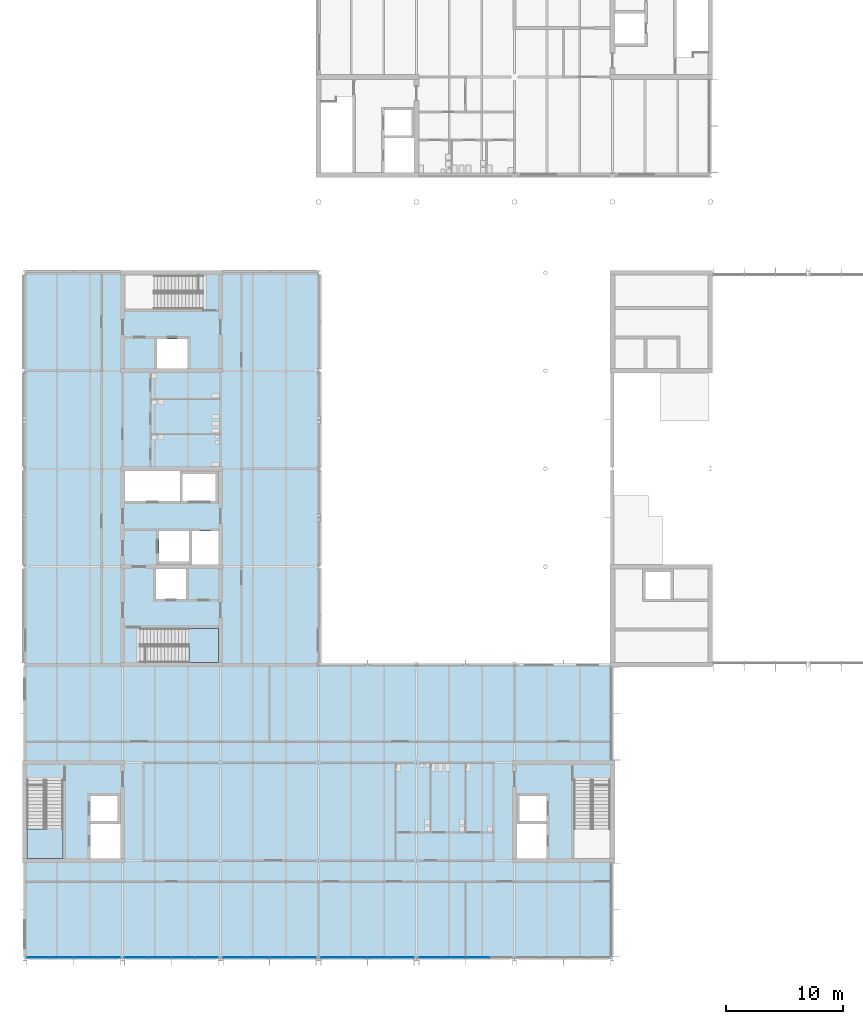
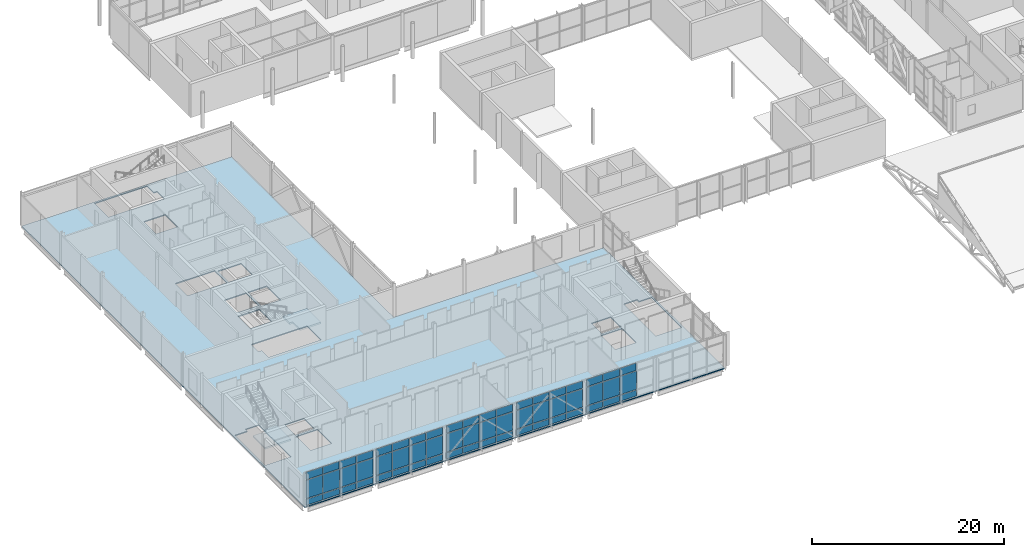
# One storey, part 39 of 89: 57 plates, 3 slabs, 7 elements without a shape of their own.
"""IFC4 building model written with IfcOpenShell, lengths in metres."""

from ifc_helpers import new_model, si_unit, direction, frame, origin, origin_2d, place, context, subcontext, project, spatial, polyline, rectangle, outline, extrude, material, layer, layer_set, type_object, element, aggregate, save


model = new_model("IFC4")

# Units and contexts
model_context = context("Model", 3, precision=1e-05, world=origin(), true_north=direction((0.0, 1.0)))
body_context = subcontext(model_context, "Body", "Model", "MODEL_VIEW")
ifc_project = project(units=[si_unit("LENGTHUNIT", "METRE"), si_unit("AREAUNIT", "SQUARE_METRE"), si_unit("VOLUMEUNIT", "CUBIC_METRE"), si_unit("PLANEANGLEUNIT", "RADIAN"), si_unit("MASSUNIT", "GRAM", prefix="KILO")], contexts=[model_context])

# Site, building, storey
site_placement = place(None, origin())
site = spatial("IfcSite", under=ifc_project, at=site_placement, CompositionType="ELEMENT")
building_placement = place(site_placement, origin())
building = spatial("IfcBuilding", under=site, at=building_placement, Name="Hlaing Beacon Police Headquarters", CompositionType="ELEMENT")
storey_placement = place(building_placement, frame((0.0, 0.0, 9.89990234375)))
storey = spatial("IfcBuildingStorey", under=building, at=storey_placement, Name="L02", CompositionType="ELEMENT", Elevation=9.89990234375)

# Curtain wall, plates
ifc_material_1 = material(Name="Aluminium frame with solar control glazing", Category="aluminium")
curtain_wall_type_1 = type_object("IfcCurtainWallType", Name="Unitised curtain wall 8.12 x 4.37", PredefinedType="NOTDEFINED", material=ifc_material_1)
curtain_wall_1_placement = place(storey_placement, origin())
curtain_wall_1 = element("IfcCurtainWall", 1, at=curtain_wall_1_placement, inside=storey, type_object=curtain_wall_type_1, Name="ENV-CW-L02-S009", PredefinedType="NOTDEFINED")
ifc_material_2 = material(Name="Solar control glazing", Category="glass")
ifc_layer_1 = layer(ifc_material_2, 0.02392578125)
ifc_layer_set_1 = layer_set([ifc_layer_1], Name="Solar control glazing")
plate_type_1 = type_object("IfcPlateType", Name="Clear glazing panel 24", PredefinedType="CURTAIN_PANEL", material=ifc_layer_set_1)
plate_1_placement = place(storey_placement, frame((9.580322265625, 8.5, 3.35009765625), z_axis=(0.0, 0.0, 1.0), x_axis=(1.0, 0.0, 0.0)))
plate_1 = element("IfcPlate", 2, at=plate_1_placement, type_object=plate_type_1, Name="CW-L02-S009 panel 1.3", PredefinedType="CURTAIN_PANEL", context=body_context, shape_type="SweptSolid", body=[
    extrude(rectangle(XDim=1.9404296875, YDim=0.02392578125, at=origin_2d()), origin(), (0.0, 0.0, 1.0), 0.919921875),
])
plate_2_placement = place(storey_placement, frame((11.595703125, 8.5, 3.35009765625), z_axis=(0.0, 0.0, 1.0), x_axis=(1.0, 0.0, 0.0)))
plate_2 = element("IfcPlate", 3, at=plate_2_placement, type_object=plate_type_1, Name="CW-L02-S009 panel 2.3", PredefinedType="CURTAIN_PANEL", context=body_context, shape_type="SweptSolid", body=[
    extrude(rectangle(XDim=1.970458984375, YDim=0.02392578125, at=origin_2d()), origin(), (0.0, 0.0, 1.0), 0.919921875),
])
plate_3_placement = place(storey_placement, frame((13.6259765625, 8.5, 3.35009765625), z_axis=(0.0, 0.0, 1.0), x_axis=(1.0, 0.0, 0.0)))
plate_3 = element("IfcPlate", 4, at=plate_3_placement, type_object=plate_type_1, Name="CW-L02-S009 panel 3.3", PredefinedType="CURTAIN_PANEL", context=body_context, shape_type="SweptSolid", body=[
    extrude(rectangle(XDim=1.970458984375, YDim=0.02392578125, at=origin_2d()), origin(), (0.0, 0.0, 1.0), 0.919921875),
])
plate_4_placement = place(storey_placement, frame((15.6416015625, 8.5, 3.35009765625), z_axis=(0.0, 0.0, 1.0), x_axis=(1.0, 0.0, 0.0)))
plate_4 = element("IfcPlate", 5, at=plate_4_placement, type_object=plate_type_1, Name="CW-L02-S009 panel 4.3", PredefinedType="CURTAIN_PANEL", context=body_context, shape_type="SweptSolid", body=[
    extrude(rectangle(XDim=1.9404296875, YDim=0.02392578125, at=origin_2d()), origin(), (0.0, 0.0, 1.0), 0.919921875),
])

ifc_material_3 = material(Name="Aluminium frame with solar control glazing", Category="aluminium")
curtain_wall_type_2 = type_object("IfcCurtainWallType", Name="Unitised curtain wall 8.09 x 4.37", PredefinedType="NOTDEFINED", material=ifc_material_3)
curtain_wall_2_placement = place(storey_placement, origin())
curtain_wall_2 = element("IfcCurtainWall", 6, at=curtain_wall_2_placement, inside=storey, type_object=curtain_wall_type_2, Name="ENV-CW-L02-S010", PredefinedType="NOTDEFINED")
plate_5_placement = place(storey_placement, frame((17.9541015625, 8.5, 3.35009765625), z_axis=(0.0, 0.0, 1.0), x_axis=(1.0, 0.0, 0.0)))
plate_5 = element("IfcPlate", 7, at=plate_5_placement, type_object=plate_type_1, Name="CW-L02-S010 panel 1.3", PredefinedType="CURTAIN_PANEL", context=body_context, shape_type="SweptSolid", body=[
    extrude(rectangle(XDim=1.931640625, YDim=0.02392578125, at=origin_2d()), origin(), (0.0, 0.0, 1.0), 0.919921875),
])
plate_6_placement = place(storey_placement, frame((19.960693359375, 8.5, 3.35009765625), z_axis=(0.0, 0.0, 1.0), x_axis=(1.0, 0.0, 0.0)))
plate_6 = element("IfcPlate", 8, at=plate_6_placement, type_object=plate_type_1, Name="CW-L02-S010 panel 2.3", PredefinedType="CURTAIN_PANEL", context=body_context, shape_type="SweptSolid", body=[
    extrude(rectangle(XDim=1.961669921875, YDim=0.02392578125, at=origin_2d()), origin(), (0.0, 0.0, 1.0), 0.919921875),
])
plate_7_placement = place(storey_placement, frame((21.982177734375, 8.5, 3.35009765625), z_axis=(0.0, 0.0, 1.0), x_axis=(1.0, 0.0, 0.0)))
plate_7 = element("IfcPlate", 9, at=plate_7_placement, type_object=plate_type_1, Name="CW-L02-S010 panel 3.3", PredefinedType="CURTAIN_PANEL", context=body_context, shape_type="SweptSolid", body=[
    extrude(rectangle(XDim=1.961669921875, YDim=0.02392578125, at=origin_2d()), origin(), (0.0, 0.0, 1.0), 0.919921875),
])
plate_8_placement = place(storey_placement, frame((23.98876953125, 8.5, 3.35009765625), z_axis=(0.0, 0.0, 1.0), x_axis=(1.0, 0.0, 0.0)))
plate_8 = element("IfcPlate", 10, at=plate_8_placement, type_object=plate_type_1, Name="CW-L02-S010 panel 4.3", PredefinedType="CURTAIN_PANEL", context=body_context, shape_type="SweptSolid", body=[
    extrude(rectangle(XDim=1.931640625, YDim=0.02392578125, at=origin_2d()), origin(), (0.0, 0.0, 1.0), 0.919921875),
])

ifc_material_4 = material(Name="Aluminium frame with solar control glazing", Category="aluminium")
curtain_wall_type_3 = type_object("IfcCurtainWallType", Name="Unitised curtain wall 8.03 x 4.37", PredefinedType="NOTDEFINED", material=ifc_material_4)
curtain_wall_3_placement = place(storey_placement, origin())
curtain_wall_3 = element("IfcCurtainWall", 11, at=curtain_wall_3_placement, inside=storey, type_object=curtain_wall_type_3, Name="ENV-CW-L02-S011", PredefinedType="NOTDEFINED")
plate_9_placement = place(storey_placement, frame((26.404052734375, 8.5, 3.35009765625), z_axis=(0.0, 0.0, 1.0), x_axis=(1.0, 0.0, 0.0)))
plate_9 = element("IfcPlate", 12, at=plate_9_placement, type_object=plate_type_1, Name="CW-L02-S011 panel 1.3", PredefinedType="CURTAIN_PANEL", context=body_context, shape_type="SweptSolid", body=[
    extrude(rectangle(XDim=1.917236328125, YDim=0.02392578125, at=origin_2d()), origin(), (0.0, 0.0, 1.0), 0.919921875),
])
plate_10_placement = place(storey_placement, frame((28.396240234375, 8.5, 3.35009765625), z_axis=(0.0, 0.0, 1.0), x_axis=(1.0, 0.0, 0.0)))
plate_10 = element("IfcPlate", 13, at=plate_10_placement, type_object=plate_type_1, Name="CW-L02-S011 panel 2.3", PredefinedType="CURTAIN_PANEL", context=body_context, shape_type="SweptSolid", body=[
    extrude(rectangle(XDim=1.947265625, YDim=0.02392578125, at=origin_2d()), origin(), (0.0, 0.0, 1.0), 0.919921875),
])
plate_11_placement = place(storey_placement, frame((30.403564453125, 8.5, 3.35009765625), z_axis=(0.0, 0.0, 1.0), x_axis=(1.0, 0.0, 0.0)))
plate_11 = element("IfcPlate", 14, at=plate_11_placement, type_object=plate_type_1, Name="CW-L02-S011 panel 3.3", PredefinedType="CURTAIN_PANEL", context=body_context, shape_type="SweptSolid", body=[
    extrude(rectangle(XDim=1.947265625, YDim=0.02392578125, at=origin_2d()), origin(), (0.0, 0.0, 1.0), 0.919921875),
])
plate_12_placement = place(storey_placement, frame((32.39599609375, 8.5, 3.35009765625), z_axis=(0.0, 0.0, 1.0), x_axis=(1.0, 0.0, 0.0)))
plate_12 = element("IfcPlate", 15, at=plate_12_placement, type_object=plate_type_1, Name="CW-L02-S011 panel 4.3", PredefinedType="CURTAIN_PANEL", context=body_context, shape_type="SweptSolid", body=[
    extrude(rectangle(XDim=1.917236328125, YDim=0.02392578125, at=origin_2d()), origin(), (0.0, 0.0, 1.0), 0.919921875),
])

curtain_wall_4_placement = place(storey_placement, origin())
curtain_wall_4 = element("IfcCurtainWall", 16, at=curtain_wall_4_placement, inside=storey, type_object=curtain_wall_type_3, Name="ENV-CW-L02-S012", PredefinedType="NOTDEFINED")
plate_13_placement = place(storey_placement, frame((34.803955078125, 8.5, 3.35009765625), z_axis=(0.0, 0.0, 1.0), x_axis=(1.0, 0.0, 0.0)))
plate_13 = element("IfcPlate", 17, at=plate_13_placement, type_object=plate_type_1, Name="CW-L02-S012 panel 1.3", PredefinedType="CURTAIN_PANEL", context=body_context, shape_type="SweptSolid", body=[
    extrude(rectangle(XDim=1.917236328125, YDim=0.02392578125, at=origin_2d()), origin(), (0.0, 0.0, 1.0), 0.919921875),
])
plate_14_placement = place(storey_placement, frame((36.79638671875, 8.5, 3.35009765625), z_axis=(0.0, 0.0, 1.0), x_axis=(1.0, 0.0, 0.0)))
plate_14 = element("IfcPlate", 18, at=plate_14_placement, type_object=plate_type_1, Name="CW-L02-S012 panel 2.3", PredefinedType="CURTAIN_PANEL", context=body_context, shape_type="SweptSolid", body=[
    extrude(rectangle(XDim=1.947265625, YDim=0.02392578125, at=origin_2d()), origin(), (0.0, 0.0, 1.0), 0.919921875),
])
plate_15_placement = place(storey_placement, frame((38.8037109375, 8.5, 3.35009765625), z_axis=(0.0, 0.0, 1.0), x_axis=(1.0, 0.0, 0.0)))
plate_15 = element("IfcPlate", 19, at=plate_15_placement, type_object=plate_type_1, Name="CW-L02-S012 panel 3.3", PredefinedType="CURTAIN_PANEL", context=body_context, shape_type="SweptSolid", body=[
    extrude(rectangle(XDim=1.947265625, YDim=0.02392578125, at=origin_2d()), origin(), (0.0, 0.0, 1.0), 0.919921875),
])
plate_16_placement = place(storey_placement, frame((40.7958984375, 8.5, 3.35009765625), z_axis=(0.0, 0.0, 1.0), x_axis=(1.0, 0.0, 0.0)))
plate_16 = element("IfcPlate", 20, at=plate_16_placement, type_object=plate_type_1, Name="CW-L02-S012 panel 4.3", PredefinedType="CURTAIN_PANEL", context=body_context, shape_type="SweptSolid", body=[
    extrude(rectangle(XDim=1.917236328125, YDim=0.02392578125, at=origin_2d()), origin(), (0.0, 0.0, 1.0), 0.919921875),
])

curtain_wall_5_placement = place(storey_placement, origin())
curtain_wall_5 = element("IfcCurtainWall", 21, at=curtain_wall_5_placement, inside=storey, type_object=curtain_wall_type_2, Name="ENV-CW-L02-S013", PredefinedType="NOTDEFINED")
plate_17_placement = place(storey_placement, frame((43.211181640625, 8.5, 3.35009765625), z_axis=(0.0, 0.0, 1.0), x_axis=(1.0, 0.0, 0.0)))
plate_17 = element("IfcPlate", 22, at=plate_17_placement, type_object=plate_type_1, Name="CW-L02-S013 panel 1.3", PredefinedType="CURTAIN_PANEL", context=body_context, shape_type="SweptSolid", body=[
    extrude(rectangle(XDim=1.931640625, YDim=0.02392578125, at=origin_2d()), origin(), (0.0, 0.0, 1.0), 0.919921875),
])
plate_18_placement = place(storey_placement, frame((45.2177734375, 8.5, 3.35009765625), z_axis=(0.0, 0.0, 1.0), x_axis=(1.0, 0.0, 0.0)))
plate_18 = element("IfcPlate", 23, at=plate_18_placement, type_object=plate_type_1, Name="CW-L02-S013 panel 2.3", PredefinedType="CURTAIN_PANEL", context=body_context, shape_type="SweptSolid", body=[
    extrude(rectangle(XDim=1.961669921875, YDim=0.02392578125, at=origin_2d()), origin(), (0.0, 0.0, 1.0), 0.919921875),
])
plate_19_placement = place(storey_placement, frame((47.2392578125, 8.5, 3.35009765625), z_axis=(0.0, 0.0, 1.0), x_axis=(1.0, 0.0, 0.0)))
plate_19 = element("IfcPlate", 24, at=plate_19_placement, type_object=plate_type_1, Name="CW-L02-S013 panel 3.3", PredefinedType="CURTAIN_PANEL", context=body_context, shape_type="SweptSolid", body=[
    extrude(rectangle(XDim=1.961669921875, YDim=0.02392578125, at=origin_2d()), origin(), (0.0, 0.0, 1.0), 0.919921875),
])

# Plate
ifc_material_5 = material(Name="Solar control glazing", Category="glass")
ifc_layer_2 = layer(ifc_material_5, 0.0439453125)
ifc_layer_set_2 = layer_set([ifc_layer_2], Name="Solar control glazing")
plate_type_2 = type_object("IfcPlateType", Name="Clear glazing panel 44", PredefinedType="CURTAIN_PANEL", material=ifc_layer_set_2)
plate_20_placement = place(storey_placement, frame((9.580322265625, 8.5, 0.9501953125), z_axis=(0.0, 0.0, 1.0), x_axis=(1.0, 0.0, 0.0)))
plate_20 = element("IfcPlate", 25, at=plate_20_placement, type_object=plate_type_2, Name="CW-L02-S009 panel 1.2", PredefinedType="CURTAIN_PANEL", context=body_context, shape_type="SweptSolid", body=[
    extrude(rectangle(XDim=1.9404296875, YDim=0.0439453125, at=origin_2d()), origin(), (0.0, 0.0, 1.0), 2.300048828125),
])

plate_21_placement = place(storey_placement, frame((11.595703125, 8.5, 0.9501953125), z_axis=(0.0, 0.0, 1.0), x_axis=(1.0, 0.0, 0.0)))
plate_21 = element("IfcPlate", 26, at=plate_21_placement, type_object=plate_type_2, Name="CW-L02-S009 panel 2.2", PredefinedType="CURTAIN_PANEL", context=body_context, shape_type="SweptSolid", body=[
    extrude(rectangle(XDim=1.970458984375, YDim=0.0439453125, at=origin_2d()), origin(), (0.0, 0.0, 1.0), 2.300048828125),
])

plate_22_placement = place(storey_placement, frame((13.6259765625, 8.5, 0.9501953125), z_axis=(0.0, 0.0, 1.0), x_axis=(1.0, 0.0, 0.0)))
plate_22 = element("IfcPlate", 27, at=plate_22_placement, type_object=plate_type_2, Name="CW-L02-S009 panel 3.2", PredefinedType="CURTAIN_PANEL", context=body_context, shape_type="SweptSolid", body=[
    extrude(rectangle(XDim=1.970458984375, YDim=0.0439453125, at=origin_2d()), origin(), (0.0, 0.0, 1.0), 2.300048828125),
])

plate_23_placement = place(storey_placement, frame((15.6416015625, 8.5, 0.9501953125), z_axis=(0.0, 0.0, 1.0), x_axis=(1.0, 0.0, 0.0)))
plate_23 = element("IfcPlate", 28, at=plate_23_placement, type_object=plate_type_2, Name="CW-L02-S009 panel 4.2", PredefinedType="CURTAIN_PANEL", context=body_context, shape_type="SweptSolid", body=[
    extrude(rectangle(XDim=1.9404296875, YDim=0.0439453125, at=origin_2d()), origin(), (0.0, 0.0, 1.0), 2.300048828125),
])

plate_24_placement = place(storey_placement, frame((17.9541015625, 8.5, 0.9501953125), z_axis=(0.0, 0.0, 1.0), x_axis=(1.0, 0.0, 0.0)))
plate_24 = element("IfcPlate", 29, at=plate_24_placement, type_object=plate_type_2, Name="CW-L02-S010 panel 1.2", PredefinedType="CURTAIN_PANEL", context=body_context, shape_type="SweptSolid", body=[
    extrude(rectangle(XDim=1.931640625, YDim=0.0439453125, at=origin_2d()), origin(), (0.0, 0.0, 1.0), 2.300048828125),
])

plate_25_placement = place(storey_placement, frame((19.960693359375, 8.5, 0.9501953125), z_axis=(0.0, 0.0, 1.0), x_axis=(1.0, 0.0, 0.0)))
plate_25 = element("IfcPlate", 30, at=plate_25_placement, type_object=plate_type_2, Name="CW-L02-S010 panel 2.2", PredefinedType="CURTAIN_PANEL", context=body_context, shape_type="SweptSolid", body=[
    extrude(rectangle(XDim=1.961669921875, YDim=0.0439453125, at=origin_2d()), origin(), (0.0, 0.0, 1.0), 2.300048828125),
])

plate_26_placement = place(storey_placement, frame((21.982177734375, 8.5, 0.9501953125), z_axis=(0.0, 0.0, 1.0), x_axis=(1.0, 0.0, 0.0)))
plate_26 = element("IfcPlate", 31, at=plate_26_placement, type_object=plate_type_2, Name="CW-L02-S010 panel 3.2", PredefinedType="CURTAIN_PANEL", context=body_context, shape_type="SweptSolid", body=[
    extrude(rectangle(XDim=1.961669921875, YDim=0.0439453125, at=origin_2d()), origin(), (0.0, 0.0, 1.0), 2.300048828125),
])

plate_27_placement = place(storey_placement, frame((23.98876953125, 8.5, 0.9501953125), z_axis=(0.0, 0.0, 1.0), x_axis=(1.0, 0.0, 0.0)))
plate_27 = element("IfcPlate", 32, at=plate_27_placement, type_object=plate_type_2, Name="CW-L02-S010 panel 4.2", PredefinedType="CURTAIN_PANEL", context=body_context, shape_type="SweptSolid", body=[
    extrude(rectangle(XDim=1.931640625, YDim=0.0439453125, at=origin_2d()), origin(), (0.0, 0.0, 1.0), 2.300048828125),
])

plate_28_placement = place(storey_placement, frame((26.404052734375, 8.5, 0.9501953125), z_axis=(0.0, 0.0, 1.0), x_axis=(1.0, 0.0, 0.0)))
plate_28 = element("IfcPlate", 33, at=plate_28_placement, type_object=plate_type_2, Name="CW-L02-S011 panel 1.2", PredefinedType="CURTAIN_PANEL", context=body_context, shape_type="SweptSolid", body=[
    extrude(rectangle(XDim=1.917236328125, YDim=0.0439453125, at=origin_2d()), origin(), (0.0, 0.0, 1.0), 2.300048828125),
])

plate_29_placement = place(storey_placement, frame((28.396240234375, 8.5, 0.9501953125), z_axis=(0.0, 0.0, 1.0), x_axis=(1.0, 0.0, 0.0)))
plate_29 = element("IfcPlate", 34, at=plate_29_placement, type_object=plate_type_2, Name="CW-L02-S011 panel 2.2", PredefinedType="CURTAIN_PANEL", context=body_context, shape_type="SweptSolid", body=[
    extrude(rectangle(XDim=1.947265625, YDim=0.0439453125, at=origin_2d()), origin(), (0.0, 0.0, 1.0), 2.300048828125),
])

plate_30_placement = place(storey_placement, frame((30.403564453125, 8.5, 0.9501953125), z_axis=(0.0, 0.0, 1.0), x_axis=(1.0, 0.0, 0.0)))
plate_30 = element("IfcPlate", 35, at=plate_30_placement, type_object=plate_type_2, Name="CW-L02-S011 panel 3.2", PredefinedType="CURTAIN_PANEL", context=body_context, shape_type="SweptSolid", body=[
    extrude(rectangle(XDim=1.947265625, YDim=0.0439453125, at=origin_2d()), origin(), (0.0, 0.0, 1.0), 2.300048828125),
])

plate_31_placement = place(storey_placement, frame((32.39599609375, 8.5, 0.9501953125), z_axis=(0.0, 0.0, 1.0), x_axis=(1.0, 0.0, 0.0)))
plate_31 = element("IfcPlate", 36, at=plate_31_placement, type_object=plate_type_2, Name="CW-L02-S011 panel 4.2", PredefinedType="CURTAIN_PANEL", context=body_context, shape_type="SweptSolid", body=[
    extrude(rectangle(XDim=1.917236328125, YDim=0.0439453125, at=origin_2d()), origin(), (0.0, 0.0, 1.0), 2.300048828125),
])

plate_32_placement = place(storey_placement, frame((34.803955078125, 8.5, 0.9501953125), z_axis=(0.0, 0.0, 1.0), x_axis=(1.0, 0.0, 0.0)))
plate_32 = element("IfcPlate", 37, at=plate_32_placement, type_object=plate_type_2, Name="CW-L02-S012 panel 1.2", PredefinedType="CURTAIN_PANEL", context=body_context, shape_type="SweptSolid", body=[
    extrude(rectangle(XDim=1.917236328125, YDim=0.0439453125, at=origin_2d()), origin(), (0.0, 0.0, 1.0), 2.300048828125),
])

plate_33_placement = place(storey_placement, frame((36.79638671875, 8.5, 0.9501953125), z_axis=(0.0, 0.0, 1.0), x_axis=(1.0, 0.0, 0.0)))
plate_33 = element("IfcPlate", 38, at=plate_33_placement, type_object=plate_type_2, Name="CW-L02-S012 panel 2.2", PredefinedType="CURTAIN_PANEL", context=body_context, shape_type="SweptSolid", body=[
    extrude(rectangle(XDim=1.947265625, YDim=0.0439453125, at=origin_2d()), origin(), (0.0, 0.0, 1.0), 2.300048828125),
])

plate_34_placement = place(storey_placement, frame((38.8037109375, 8.5, 0.9501953125), z_axis=(0.0, 0.0, 1.0), x_axis=(1.0, 0.0, 0.0)))
plate_34 = element("IfcPlate", 39, at=plate_34_placement, type_object=plate_type_2, Name="CW-L02-S012 panel 3.2", PredefinedType="CURTAIN_PANEL", context=body_context, shape_type="SweptSolid", body=[
    extrude(rectangle(XDim=1.947265625, YDim=0.0439453125, at=origin_2d()), origin(), (0.0, 0.0, 1.0), 2.300048828125),
])

plate_35_placement = place(storey_placement, frame((40.7958984375, 8.5, 0.9501953125), z_axis=(0.0, 0.0, 1.0), x_axis=(1.0, 0.0, 0.0)))
plate_35 = element("IfcPlate", 40, at=plate_35_placement, type_object=plate_type_2, Name="CW-L02-S012 panel 4.2", PredefinedType="CURTAIN_PANEL", context=body_context, shape_type="SweptSolid", body=[
    extrude(rectangle(XDim=1.917236328125, YDim=0.0439453125, at=origin_2d()), origin(), (0.0, 0.0, 1.0), 2.300048828125),
])

plate_36_placement = place(storey_placement, frame((43.211181640625, 8.5, 0.9501953125), z_axis=(0.0, 0.0, 1.0), x_axis=(1.0, 0.0, 0.0)))
plate_36 = element("IfcPlate", 41, at=plate_36_placement, type_object=plate_type_2, Name="CW-L02-S013 panel 1.2", PredefinedType="CURTAIN_PANEL", context=body_context, shape_type="SweptSolid", body=[
    extrude(rectangle(XDim=1.931640625, YDim=0.0439453125, at=origin_2d()), origin(), (0.0, 0.0, 1.0), 2.300048828125),
])

plate_37_placement = place(storey_placement, frame((45.2177734375, 8.5, 0.9501953125), z_axis=(0.0, 0.0, 1.0), x_axis=(1.0, 0.0, 0.0)))
plate_37 = element("IfcPlate", 42, at=plate_37_placement, type_object=plate_type_2, Name="CW-L02-S013 panel 2.2", PredefinedType="CURTAIN_PANEL", context=body_context, shape_type="SweptSolid", body=[
    extrude(rectangle(XDim=1.961669921875, YDim=0.0439453125, at=origin_2d()), origin(), (0.0, 0.0, 1.0), 2.300048828125),
])

plate_38_placement = place(storey_placement, frame((47.2392578125, 8.5, 0.9501953125), z_axis=(0.0, 0.0, 1.0), x_axis=(1.0, 0.0, 0.0)))
plate_38 = element("IfcPlate", 43, at=plate_38_placement, type_object=plate_type_2, Name="CW-L02-S013 panel 3.2", PredefinedType="CURTAIN_PANEL", context=body_context, shape_type="SweptSolid", body=[
    extrude(rectangle(XDim=1.961669921875, YDim=0.0439453125, at=origin_2d()), origin(), (0.0, 0.0, 1.0), 2.300048828125),
])

# Slab
ifc_material_6 = material(Name="Concrete C40/50", Category="concrete")
ifc_layer_3 = layer(ifc_material_6, 0.1298828125)
ifc_layer_set_3 = layer_set([ifc_layer_3], Name="Concrete C40/50")
slab_type_1 = type_object("IfcSlabType", Name="Composite deck slab 130", PredefinedType="FLOOR", material=ifc_layer_set_3)
slab_1_placement = place(storey_placement, frame((0.0, 0.0, -0.1298828125)))
element("IfcSlab", 44, at=slab_1_placement, inside=storey, type_object=slab_type_1, Name="STR-SLAB-L02-01", PredefinedType="FLOOR", context=body_context, shape_type="SweptSolid", body=[
    extrude(outline(polyline([(8.39990234375, 8.39990234375), (58.800048828125, 8.39990234375), (58.800048828125, 33.60009765625), (33.60009765625, 33.60009765625), (33.60009765625, 67.199951171875), (8.39990234375, 67.199951171875), (8.39990234375, 8.39990234375)]), holes=[polyline([(8.60009765625, 17.0), (11.699951171875, 17.0), (11.699951171875, 23.68994140625), (10.10009765625, 23.68994140625), (10.10009765625, 23.300048828125), (8.60009765625, 23.300048828125), (8.60009765625, 17.0)]), polyline([(14.050048828125, 17.0), (16.60009765625, 17.0), (16.60009765625, 19.949951171875), (14.050048828125, 19.949951171875), (14.050048828125, 17.0)]), polyline([(14.050048828125, 20.199951171875), (16.35009765625, 20.199951171875), (16.35009765625, 22.35009765625), (14.050048828125, 22.35009765625), (14.050048828125, 20.199951171875)]), polyline([(17.0, 47.64990234375), (21.699951171875, 47.64990234375), (21.699951171875, 50.199951171875), (17.0, 50.199951171875), (17.0, 47.64990234375)]), polyline([(17.0, 64.10009765625), (23.68994140625, 64.10009765625), (23.68994140625, 65.60009765625), (23.300048828125, 65.60009765625), (23.300048828125, 67.0), (17.0, 67.0), (17.0, 64.10009765625)]), polyline([(18.699951171875, 33.800048828125), (25.0, 33.800048828125), (25.0, 36.699951171875), (18.31005859375, 36.699951171875), (18.31005859375, 35.199951171875), (18.699951171875, 35.199951171875), (18.699951171875, 33.800048828125)]), polyline([(19.64990234375, 39.25), (22.25, 39.25), (22.25, 41.800048828125), (19.64990234375, 41.800048828125), (19.64990234375, 39.25)]), polyline([(19.75, 59.0), (22.35009765625, 59.0), (22.35009765625, 61.550048828125), (19.75, 61.550048828125), (19.75, 59.0)]), polyline([(19.89990234375, 42.449951171875), (22.5, 42.449951171875), (22.5, 45.050048828125), (19.89990234375, 45.050048828125), (19.89990234375, 42.449951171875)]), polyline([(21.949951171875, 47.64990234375), (24.75, 47.64990234375), (24.75, 49.949951171875), (21.949951171875, 49.949951171875), (21.949951171875, 47.64990234375)]), polyline([(22.75, 42.199951171875), (25.0, 42.199951171875), (25.0, 45.050048828125), (22.75, 45.050048828125), (22.75, 42.199951171875)]), polyline([(50.60009765625, 17.0), (53.14990234375, 17.0), (53.14990234375, 19.949951171875), (50.60009765625, 19.949951171875), (50.60009765625, 17.0)]), polyline([(50.85009765625, 20.199951171875), (53.14990234375, 20.199951171875), (53.14990234375, 22.35009765625), (50.85009765625, 22.35009765625), (50.85009765625, 20.199951171875)]), polyline([(55.5, 17.0), (58.60009765625, 17.0), (58.60009765625, 23.300048828125), (57.10009765625, 23.300048828125), (57.10009765625, 23.68994140625), (55.5, 23.68994140625), (55.5, 17.0)])]), origin(), (0.0, 0.0, 1.0), 0.1298828125),
])

# Stair, slab
ifc_material_7 = material(Name="Concrete C40/50", Category="concrete")
stair_type_1 = type_object("IfcStairType", Name="Half-turn stair 1500 wide, 4500 rise", PredefinedType="HALF_TURN_STAIR", material=ifc_material_7)
stair_1_placement = place(storey_placement, origin())
stair_1 = element("IfcStair", 45, at=stair_1_placement, inside=storey, type_object=stair_type_1, Name="Stair ST-J", PredefinedType="HALF_TURN_STAIR")
ifc_material_8 = material(Name="Concrete C40/50", Category="concrete")
ifc_layer_4 = layer(ifc_material_8, 0.219970703125)
ifc_layer_set_4 = layer_set([ifc_layer_4], Name="Concrete C40/50")
slab_type_2 = type_object("IfcSlabType", Name="Stair landing 220", PredefinedType="LANDING", material=ifc_layer_set_4)
slab_2_placement = place(storey_placement, frame((0.0, 0.0, 2.030029296875)))
slab_2 = element("IfcSlab", 46, at=slab_2_placement, type_object=slab_type_2, Name="ST-J landing 1", PredefinedType="LANDING", context=body_context, shape_type="SweptSolid", body=[
    extrude(outline(polyline([(8.60009765625, 19.510009765625), (8.60009765625, 17.0), (11.699951171875, 17.0), (11.699951171875, 19.89990234375), (10.199951171875, 19.89990234375), (10.199951171875, 19.510009765625), (8.60009765625, 19.510009765625)])), origin(), (0.0, 0.0, 1.0), 0.219970703125),
])
aggregate(stair_1, [slab_2])

ifc_material_9 = material(Name="Concrete C40/50", Category="concrete")
stair_type_2 = type_object("IfcStairType", Name="Half-turn stair 1400 wide, 4500 rise", PredefinedType="HALF_TURN_STAIR", material=ifc_material_9)
stair_2_placement = place(storey_placement, origin())
stair_2 = element("IfcStair", 47, at=stair_2_placement, inside=storey, type_object=stair_type_2, Name="Stair ST-N", PredefinedType="HALF_TURN_STAIR")
slab_3_placement = place(storey_placement, frame((0.0, 0.0, 2.030029296875)))
slab_3 = element("IfcSlab", 48, at=slab_3_placement, type_object=slab_type_2, Name="ST-N landing 1", PredefinedType="LANDING", context=body_context, shape_type="SweptSolid", body=[
    extrude(outline(polyline([(22.489990234375, 33.800048828125), (25.0, 33.800048828125), (25.0, 36.699951171875), (22.10009765625, 36.699951171875), (22.10009765625, 35.300048828125), (22.489990234375, 35.300048828125), (22.489990234375, 33.800048828125)])), origin(), (0.0, 0.0, 1.0), 0.219970703125),
])
aggregate(stair_2, [slab_3])

# Plate
ifc_material_10 = material(Name="Terracotta ribbed cladding", Category="masonry")
ifc_layer_5 = layer(ifc_material_10, 0.06005859375)
ifc_layer_set_5 = layer_set([ifc_layer_5], Name="Terracotta ribbed cladding")
plate_type_3 = type_object("IfcPlateType", Name="Terracotta ribbed spandrel panel 60", PredefinedType="CURTAIN_PANEL", material=ifc_layer_set_5)
plate_39_placement = place(storey_placement, frame((9.580322265625, 8.5, 0.10009765625), z_axis=(0.0, 0.0, 1.0), x_axis=(1.0, 0.0, 0.0)))
plate_39 = element("IfcPlate", 49, at=plate_39_placement, type_object=plate_type_3, Name="CW-L02-S009 panel 1.1", PredefinedType="CURTAIN_PANEL", context=body_context, shape_type="SweptSolid", body=[
    extrude(rectangle(XDim=1.9404296875, YDim=0.06005859375, at=origin_2d()), origin(), (0.0, 0.0, 1.0), 0.75),
])

plate_40_placement = place(storey_placement, frame((11.595703125, 8.5, 0.10009765625), z_axis=(0.0, 0.0, 1.0), x_axis=(1.0, 0.0, 0.0)))
plate_40 = element("IfcPlate", 50, at=plate_40_placement, type_object=plate_type_3, Name="CW-L02-S009 panel 2.1", PredefinedType="CURTAIN_PANEL", context=body_context, shape_type="SweptSolid", body=[
    extrude(rectangle(XDim=1.970458984375, YDim=0.06005859375, at=origin_2d()), origin(), (0.0, 0.0, 1.0), 0.75),
])

plate_41_placement = place(storey_placement, frame((13.6259765625, 8.5, 0.10009765625), z_axis=(0.0, 0.0, 1.0), x_axis=(1.0, 0.0, 0.0)))
plate_41 = element("IfcPlate", 51, at=plate_41_placement, type_object=plate_type_3, Name="CW-L02-S009 panel 3.1", PredefinedType="CURTAIN_PANEL", context=body_context, shape_type="SweptSolid", body=[
    extrude(rectangle(XDim=1.970458984375, YDim=0.06005859375, at=origin_2d()), origin(), (0.0, 0.0, 1.0), 0.75),
])

plate_42_placement = place(storey_placement, frame((15.6416015625, 8.5, 0.10009765625), z_axis=(0.0, 0.0, 1.0), x_axis=(1.0, 0.0, 0.0)))
plate_42 = element("IfcPlate", 52, at=plate_42_placement, type_object=plate_type_3, Name="CW-L02-S009 panel 4.1", PredefinedType="CURTAIN_PANEL", context=body_context, shape_type="SweptSolid", body=[
    extrude(rectangle(XDim=1.9404296875, YDim=0.06005859375, at=origin_2d()), origin(), (0.0, 0.0, 1.0), 0.75),
])

aggregate(curtain_wall_1, [plate_39, plate_20, plate_1, plate_40, plate_21, plate_2, plate_41, plate_22, plate_3, plate_42, plate_23, plate_4])

plate_43_placement = place(storey_placement, frame((17.9541015625, 8.5, 0.10009765625), z_axis=(0.0, 0.0, 1.0), x_axis=(1.0, 0.0, 0.0)))
plate_43 = element("IfcPlate", 53, at=plate_43_placement, type_object=plate_type_3, Name="CW-L02-S010 panel 1.1", PredefinedType="CURTAIN_PANEL", context=body_context, shape_type="SweptSolid", body=[
    extrude(rectangle(XDim=1.931640625, YDim=0.06005859375, at=origin_2d()), origin(), (0.0, 0.0, 1.0), 0.75),
])

plate_44_placement = place(storey_placement, frame((19.960693359375, 8.5, 0.10009765625), z_axis=(0.0, 0.0, 1.0), x_axis=(1.0, 0.0, 0.0)))
plate_44 = element("IfcPlate", 54, at=plate_44_placement, type_object=plate_type_3, Name="CW-L02-S010 panel 2.1", PredefinedType="CURTAIN_PANEL", context=body_context, shape_type="SweptSolid", body=[
    extrude(rectangle(XDim=1.961669921875, YDim=0.06005859375, at=origin_2d()), origin(), (0.0, 0.0, 1.0), 0.75),
])

plate_45_placement = place(storey_placement, frame((21.982177734375, 8.5, 0.10009765625), z_axis=(0.0, 0.0, 1.0), x_axis=(1.0, 0.0, 0.0)))
plate_45 = element("IfcPlate", 55, at=plate_45_placement, type_object=plate_type_3, Name="CW-L02-S010 panel 3.1", PredefinedType="CURTAIN_PANEL", context=body_context, shape_type="SweptSolid", body=[
    extrude(rectangle(XDim=1.961669921875, YDim=0.06005859375, at=origin_2d()), origin(), (0.0, 0.0, 1.0), 0.75),
])

plate_46_placement = place(storey_placement, frame((23.98876953125, 8.5, 0.10009765625), z_axis=(0.0, 0.0, 1.0), x_axis=(1.0, 0.0, 0.0)))
plate_46 = element("IfcPlate", 56, at=plate_46_placement, type_object=plate_type_3, Name="CW-L02-S010 panel 4.1", PredefinedType="CURTAIN_PANEL", context=body_context, shape_type="SweptSolid", body=[
    extrude(rectangle(XDim=1.931640625, YDim=0.06005859375, at=origin_2d()), origin(), (0.0, 0.0, 1.0), 0.75),
])

aggregate(curtain_wall_2, [plate_43, plate_24, plate_5, plate_44, plate_25, plate_6, plate_45, plate_26, plate_7, plate_46, plate_27, plate_8])

plate_47_placement = place(storey_placement, frame((26.404052734375, 8.5, 0.10009765625), z_axis=(0.0, 0.0, 1.0), x_axis=(1.0, 0.0, 0.0)))
plate_47 = element("IfcPlate", 57, at=plate_47_placement, type_object=plate_type_3, Name="CW-L02-S011 panel 1.1", PredefinedType="CURTAIN_PANEL", context=body_context, shape_type="SweptSolid", body=[
    extrude(rectangle(XDim=1.917236328125, YDim=0.06005859375, at=origin_2d()), origin(), (0.0, 0.0, 1.0), 0.75),
])

plate_48_placement = place(storey_placement, frame((28.396240234375, 8.5, 0.10009765625), z_axis=(0.0, 0.0, 1.0), x_axis=(1.0, 0.0, 0.0)))
plate_48 = element("IfcPlate", 58, at=plate_48_placement, type_object=plate_type_3, Name="CW-L02-S011 panel 2.1", PredefinedType="CURTAIN_PANEL", context=body_context, shape_type="SweptSolid", body=[
    extrude(rectangle(XDim=1.947265625, YDim=0.06005859375, at=origin_2d()), origin(), (0.0, 0.0, 1.0), 0.75),
])

plate_49_placement = place(storey_placement, frame((30.403564453125, 8.5, 0.10009765625), z_axis=(0.0, 0.0, 1.0), x_axis=(1.0, 0.0, 0.0)))
plate_49 = element("IfcPlate", 59, at=plate_49_placement, type_object=plate_type_3, Name="CW-L02-S011 panel 3.1", PredefinedType="CURTAIN_PANEL", context=body_context, shape_type="SweptSolid", body=[
    extrude(rectangle(XDim=1.947265625, YDim=0.06005859375, at=origin_2d()), origin(), (0.0, 0.0, 1.0), 0.75),
])

plate_50_placement = place(storey_placement, frame((32.39599609375, 8.5, 0.10009765625), z_axis=(0.0, 0.0, 1.0), x_axis=(1.0, 0.0, 0.0)))
plate_50 = element("IfcPlate", 60, at=plate_50_placement, type_object=plate_type_3, Name="CW-L02-S011 panel 4.1", PredefinedType="CURTAIN_PANEL", context=body_context, shape_type="SweptSolid", body=[
    extrude(rectangle(XDim=1.917236328125, YDim=0.06005859375, at=origin_2d()), origin(), (0.0, 0.0, 1.0), 0.75),
])

aggregate(curtain_wall_3, [plate_47, plate_28, plate_9, plate_48, plate_29, plate_10, plate_49, plate_30, plate_11, plate_50, plate_31, plate_12])

plate_51_placement = place(storey_placement, frame((34.803955078125, 8.5, 0.10009765625), z_axis=(0.0, 0.0, 1.0), x_axis=(1.0, 0.0, 0.0)))
plate_51 = element("IfcPlate", 61, at=plate_51_placement, type_object=plate_type_3, Name="CW-L02-S012 panel 1.1", PredefinedType="CURTAIN_PANEL", context=body_context, shape_type="SweptSolid", body=[
    extrude(rectangle(XDim=1.917236328125, YDim=0.06005859375, at=origin_2d()), origin(), (0.0, 0.0, 1.0), 0.75),
])

plate_52_placement = place(storey_placement, frame((36.79638671875, 8.5, 0.10009765625), z_axis=(0.0, 0.0, 1.0), x_axis=(1.0, 0.0, 0.0)))
plate_52 = element("IfcPlate", 62, at=plate_52_placement, type_object=plate_type_3, Name="CW-L02-S012 panel 2.1", PredefinedType="CURTAIN_PANEL", context=body_context, shape_type="SweptSolid", body=[
    extrude(rectangle(XDim=1.947265625, YDim=0.06005859375, at=origin_2d()), origin(), (0.0, 0.0, 1.0), 0.75),
])

plate_53_placement = place(storey_placement, frame((38.8037109375, 8.5, 0.10009765625), z_axis=(0.0, 0.0, 1.0), x_axis=(1.0, 0.0, 0.0)))
plate_53 = element("IfcPlate", 63, at=plate_53_placement, type_object=plate_type_3, Name="CW-L02-S012 panel 3.1", PredefinedType="CURTAIN_PANEL", context=body_context, shape_type="SweptSolid", body=[
    extrude(rectangle(XDim=1.947265625, YDim=0.06005859375, at=origin_2d()), origin(), (0.0, 0.0, 1.0), 0.75),
])

plate_54_placement = place(storey_placement, frame((40.7958984375, 8.5, 0.10009765625), z_axis=(0.0, 0.0, 1.0), x_axis=(1.0, 0.0, 0.0)))
plate_54 = element("IfcPlate", 64, at=plate_54_placement, type_object=plate_type_3, Name="CW-L02-S012 panel 4.1", PredefinedType="CURTAIN_PANEL", context=body_context, shape_type="SweptSolid", body=[
    extrude(rectangle(XDim=1.917236328125, YDim=0.06005859375, at=origin_2d()), origin(), (0.0, 0.0, 1.0), 0.75),
])

aggregate(curtain_wall_4, [plate_51, plate_32, plate_13, plate_52, plate_33, plate_14, plate_53, plate_34, plate_15, plate_54, plate_35, plate_16])

plate_55_placement = place(storey_placement, frame((43.211181640625, 8.5, 0.10009765625), z_axis=(0.0, 0.0, 1.0), x_axis=(1.0, 0.0, 0.0)))
plate_55 = element("IfcPlate", 65, at=plate_55_placement, type_object=plate_type_3, Name="CW-L02-S013 panel 1.1", PredefinedType="CURTAIN_PANEL", context=body_context, shape_type="SweptSolid", body=[
    extrude(rectangle(XDim=1.931640625, YDim=0.06005859375, at=origin_2d()), origin(), (0.0, 0.0, 1.0), 0.75),
])

plate_56_placement = place(storey_placement, frame((45.2177734375, 8.5, 0.10009765625), z_axis=(0.0, 0.0, 1.0), x_axis=(1.0, 0.0, 0.0)))
plate_56 = element("IfcPlate", 66, at=plate_56_placement, type_object=plate_type_3, Name="CW-L02-S013 panel 2.1", PredefinedType="CURTAIN_PANEL", context=body_context, shape_type="SweptSolid", body=[
    extrude(rectangle(XDim=1.961669921875, YDim=0.06005859375, at=origin_2d()), origin(), (0.0, 0.0, 1.0), 0.75),
])

plate_57_placement = place(storey_placement, frame((47.2392578125, 8.5, 0.10009765625), z_axis=(0.0, 0.0, 1.0), x_axis=(1.0, 0.0, 0.0)))
plate_57 = element("IfcPlate", 67, at=plate_57_placement, type_object=plate_type_3, Name="CW-L02-S013 panel 3.1", PredefinedType="CURTAIN_PANEL", context=body_context, shape_type="SweptSolid", body=[
    extrude(rectangle(XDim=1.961669921875, YDim=0.06005859375, at=origin_2d()), origin(), (0.0, 0.0, 1.0), 0.75),
])

aggregate(curtain_wall_5, [plate_55, plate_36, plate_17, plate_56, plate_37, plate_18, plate_57, plate_38, plate_19])

save(model, "model.ifc")
